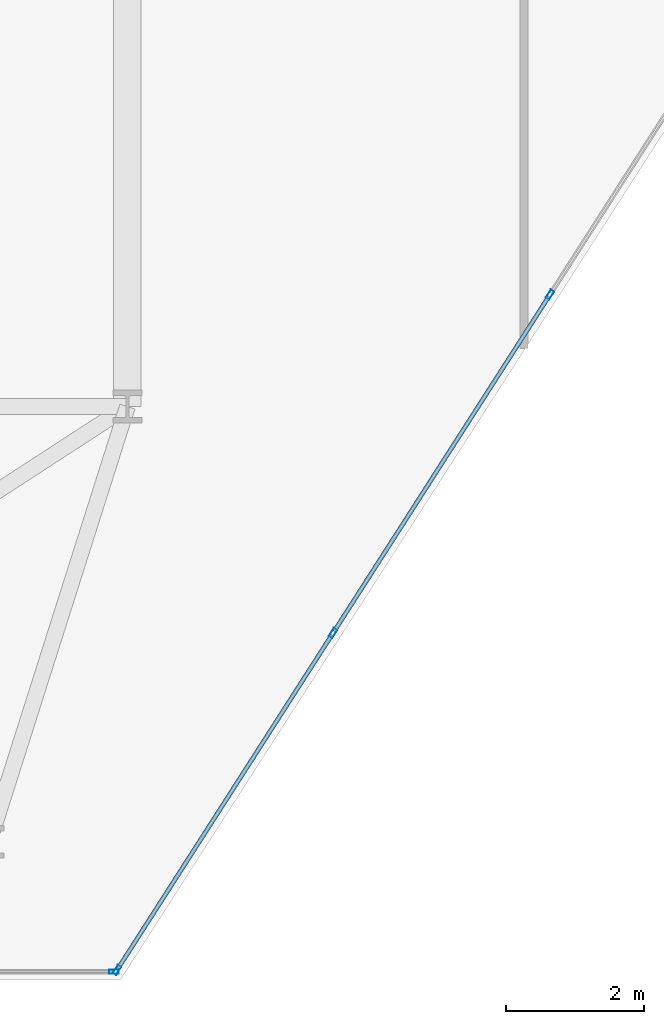
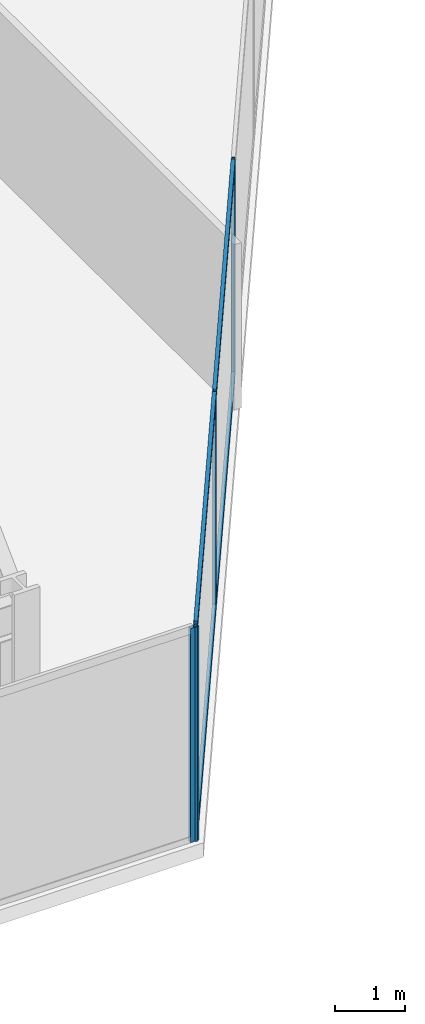
# One storey, part 7 of 26: 8 members, 2 elements without a shape of their own.
"""IFC4 building model written with IfcOpenShell, lengths in metres."""

from ifc_helpers import new_model, si_unit, direction, frame, origin, origin_2d, place, context, subcontext, project, spatial, hollow_rectangle, extrude, material, layer, layer_set, material_profile, profile_set, type_object, element, aggregate, save


model = new_model("IFC4")

# Units and contexts
model_context = context("Model", 3, precision=1e-05, world=origin(), true_north=direction((0.0, 1.0)))
body_context = subcontext(model_context, "Body", "Model", "MODEL_VIEW")
ifc_project = project(units=[si_unit("LENGTHUNIT", "METRE"), si_unit("AREAUNIT", "SQUARE_METRE"), si_unit("VOLUMEUNIT", "CUBIC_METRE"), si_unit("PLANEANGLEUNIT", "RADIAN"), si_unit("MASSUNIT", "GRAM", prefix="KILO")], contexts=[model_context])

# Site, building, storey
site_placement = place(None, origin())
site = spatial("IfcSite", under=ifc_project, at=site_placement, CompositionType="ELEMENT")
building_placement = place(site_placement, origin())
building = spatial("IfcBuilding", under=site, at=building_placement, Name="Kravanh Interchange Tower", CompositionType="ELEMENT")
storey_placement = place(building_placement, frame((0.0, 0.0, 116.0)))
storey = spatial("IfcBuildingStorey", under=building, at=storey_placement, Name="L27", CompositionType="ELEMENT", Elevation=116.0)

# Curtain wall, members
ifc_material_1 = material(Name="Anodised Bronze Aluminium", Category="aluminium")
ifc_layer = layer(ifc_material_1, 0.179931640625)
ifc_layer_set = layer_set([ifc_layer], Name="Unitised Curtain Wall System CW-Z2 Mid Office")
curtain_wall_type = type_object("IfcCurtainWallType", Name="Unitised Curtain Wall System CW-Z2 Mid Office", PredefinedType="NOTDEFINED", material=ifc_layer_set)
curtain_wall_1_placement = place(storey_placement, origin())
curtain_wall_1 = element("IfcCurtainWall", 1, at=curtain_wall_1_placement, inside=storey, type_object=curtain_wall_type, Name="L27 Unitised Curtain Wall CW-L27-05", PredefinedType="NOTDEFINED")
ifc_material_2 = material(Name="Anodised Bronze Aluminium", Category="aluminium")
ifc_material_profile_1 = material_profile(ifc_material_2, hollow_rectangle(XDim=0.06005859375, YDim=0.139892578125, WallThickness=0.00390625, at=origin_2d()), Name="ALU60X140X4")
ifc_profile_set_1 = profile_set([ifc_material_profile_1], Name="Anodised Bronze Aluminium")
member_type_1 = type_object("IfcMemberType", Name="Curtain Wall Mullion ALU60X140X4 Bronze", PredefinedType="MULLION", material=ifc_profile_set_1)
member_1_placement = place(storey_placement, frame((33.317138671875, 16.12109375, 0.0), z_axis=(0.0, 0.0, 1.0), x_axis=(0.841879939476, -0.539664865919, 0.0)))
member_1 = element("IfcMember", 2, at=member_1_placement, type_object=member_type_1, Name="CW-Z2 mullion 3", PredefinedType="MULLION", context=body_context, shape_type="SweptSolid", body=[
    extrude(hollow_rectangle(XDim=0.06005859375, YDim=0.139892578125, WallThickness=0.00390625, at=origin_2d()), origin(), (0.0, 0.0, 1.0), 3.75),
])
member_2_placement = place(storey_placement, frame((30.17578125, 11.220703125, 0.0), z_axis=(0.0, 0.0, 1.0), x_axis=(0.841879939476, -0.539664865919, 0.0)))
member_2 = element("IfcMember", 3, at=member_2_placement, type_object=member_type_1, Name="CW-Z2 mullion 4", PredefinedType="MULLION", context=body_context, shape_type="SweptSolid", body=[
    extrude(hollow_rectangle(XDim=0.06005859375, YDim=0.139892578125, WallThickness=0.00390625, at=origin_2d()), origin(), (0.0, 0.0, 1.0), 3.75),
])
member_3_placement = place(storey_placement, frame((27.050537109375, 6.34521484375, 0.0), z_axis=(0.0, 0.0, 1.0), x_axis=(0.841879939476, -0.539664865919, 0.0)))
member_3 = element("IfcMember", 4, at=member_3_placement, type_object=member_type_1, Name="CW-Z2 mullion 5", PredefinedType="MULLION", context=body_context, shape_type="SweptSolid", body=[
    extrude(hollow_rectangle(XDim=0.06005859375, YDim=0.139892578125, WallThickness=0.00390625, at=origin_2d()), origin(), (0.0, 0.0, 1.0), 3.75),
])

# Curtain wall, member
curtain_wall_2_placement = place(storey_placement, origin())
curtain_wall_2 = element("IfcCurtainWall", 5, at=curtain_wall_2_placement, inside=storey, type_object=curtain_wall_type, Name="L27 Unitised Curtain Wall CW-L27-06", PredefinedType="NOTDEFINED")
member_4_placement = place(storey_placement, frame((27.00439453125, 6.320068359375, 0.0), z_axis=(0.0, 0.0, 1.0), x_axis=(0.0, -1.0, 0.0)))
member_4 = element("IfcMember", 6, at=member_4_placement, type_object=member_type_1, Name="CW-Z2 mullion 1", PredefinedType="MULLION", context=body_context, shape_type="SweptSolid", body=[
    extrude(hollow_rectangle(XDim=0.06005859375, YDim=0.139892578125, WallThickness=0.00390625, at=origin_2d()), origin(), (0.0, 0.0, 1.0), 3.75),
])
aggregate(curtain_wall_2, [member_4])

# Member
ifc_material_3 = material(Name="Anodised Bronze Aluminium", Category="aluminium")
ifc_material_profile_2 = material_profile(ifc_material_3, hollow_rectangle(XDim=0.06005859375, YDim=0.139892578125, WallThickness=0.00390625, at=origin_2d()), Name="ALU60X140X4")
ifc_profile_set_2 = profile_set([ifc_material_profile_2], Name="Anodised Bronze Aluminium")
member_type_2 = type_object("IfcMemberType", Name="Curtain Wall Transom ALU60X140X4 Bronze", PredefinedType="USERDEFINED", material=ifc_profile_set_2)
member_5_placement = place(storey_placement, frame((33.301025390625, 16.095947265625, 0.030029296875), z_axis=(-0.539677666788, -0.84187173368, 0.0), x_axis=(0.84187173368, -0.539677666788, 0.0)))
member_5 = element("IfcMember", 7, at=member_5_placement, type_object=member_type_2, Name="CW-Z2 transom 3.1", ObjectType="TRANSOM", PredefinedType="USERDEFINED", context=body_context, shape_type="SweptSolid", body=[
    extrude(hollow_rectangle(XDim=0.06005859375, YDim=0.139892578125, WallThickness=0.00390625, at=origin_2d()), origin(), (0.0, 0.0, 1.0), 5.760986328125),
])

member_6_placement = place(storey_placement, frame((33.301025390625, 16.095947265625, 3.719970703125), z_axis=(-0.539677666788, -0.84187173368, 0.0), x_axis=(0.84187173368, -0.539677666788, 0.0)))
member_6 = element("IfcMember", 8, at=member_6_placement, type_object=member_type_2, Name="CW-Z2 transom 3.2", ObjectType="TRANSOM", PredefinedType="USERDEFINED", context=body_context, shape_type="SweptSolid", body=[
    extrude(hollow_rectangle(XDim=0.06005859375, YDim=0.139892578125, WallThickness=0.00390625, at=origin_2d()), origin(), (0.0, 0.0, 1.0), 5.760986328125),
])

member_7_placement = place(storey_placement, frame((30.15966796875, 11.1953125, 0.030029296875), z_axis=(-0.53966766312, -0.841878146398, 0.0), x_axis=(0.841878146398, -0.53966766312, 0.0)))
member_7 = element("IfcMember", 9, at=member_7_placement, type_object=member_type_2, Name="CW-Z2 transom 4.1", ObjectType="TRANSOM", PredefinedType="USERDEFINED", context=body_context, shape_type="SweptSolid", body=[
    extrude(hollow_rectangle(XDim=0.06005859375, YDim=0.139892578125, WallThickness=0.00390625, at=origin_2d()), origin(), (0.0, 0.0, 1.0), 5.73095703125),
])

member_8_placement = place(storey_placement, frame((30.15966796875, 11.1953125, 3.719970703125), z_axis=(-0.53966766312, -0.841878146398, 0.0), x_axis=(0.841878146398, -0.53966766312, 0.0)))
member_8 = element("IfcMember", 10, at=member_8_placement, type_object=member_type_2, Name="CW-Z2 transom 4.2", ObjectType="TRANSOM", PredefinedType="USERDEFINED", context=body_context, shape_type="SweptSolid", body=[
    extrude(hollow_rectangle(XDim=0.06005859375, YDim=0.139892578125, WallThickness=0.00390625, at=origin_2d()), origin(), (0.0, 0.0, 1.0), 5.73095703125),
])

aggregate(curtain_wall_1, [member_1, member_2, member_3, member_5, member_6, member_7, member_8])

save(model, "model.ifc")
